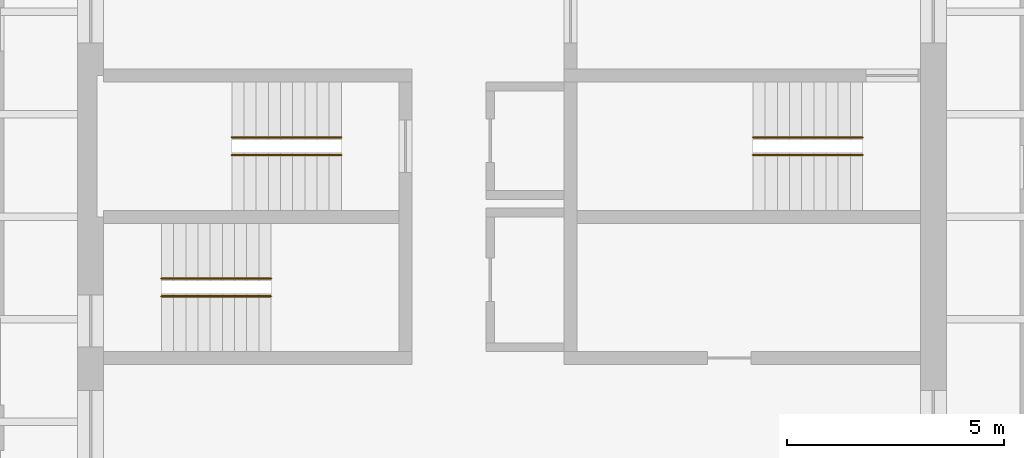
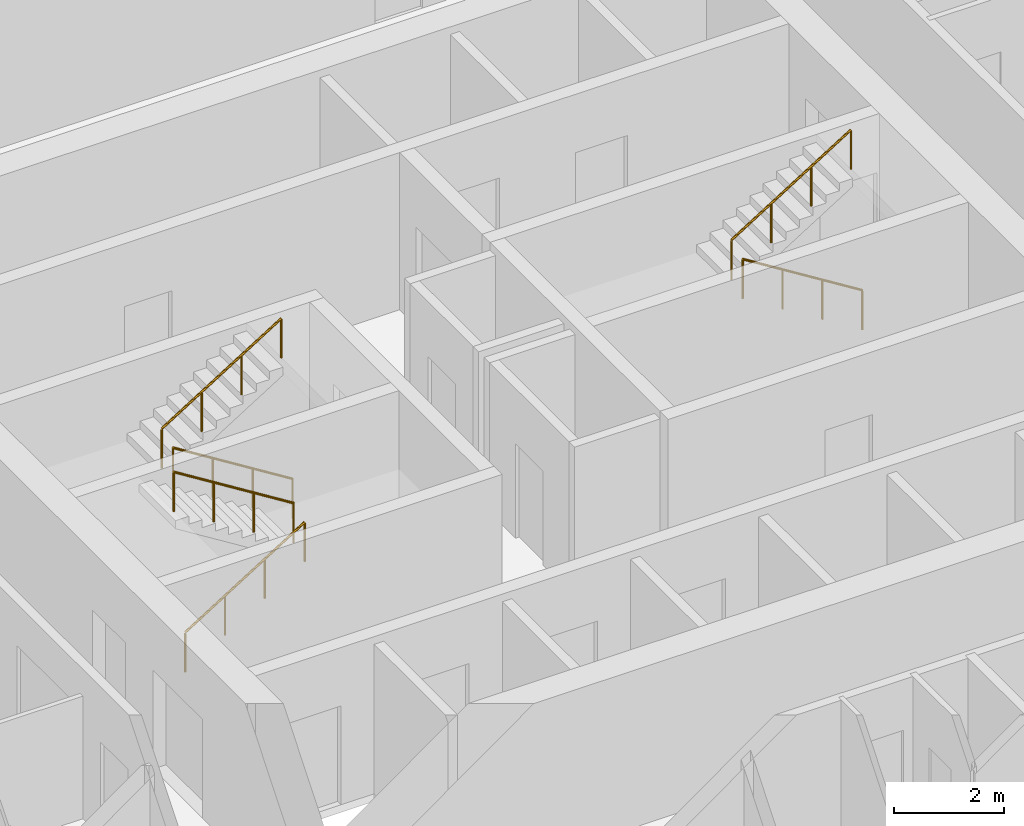
# One storey, part 8 of 8: 6 railings.
"""IFC4 building model written with IfcOpenShell, lengths in metres."""

from ifc_helpers import new_model, si_unit, direction, frame, origin, origin_2d, place, context, subcontext, project, spatial, circle, extrude, material, type_object, element, save


model = new_model("IFC4")

# Units and contexts
model_context = context("Model", 3, precision=1e-05, world=origin(), true_north=direction((0.0, 1.0)))
body_context = subcontext(model_context, "Body", "Model", "MODEL_VIEW")
ifc_project = project(units=[si_unit("LENGTHUNIT", "METRE"), si_unit("AREAUNIT", "SQUARE_METRE"), si_unit("VOLUMEUNIT", "CUBIC_METRE"), si_unit("PLANEANGLEUNIT", "RADIAN"), si_unit("MASSUNIT", "GRAM", prefix="KILO")], contexts=[model_context])

# Site, building, storey
site_placement = place(None, origin())
site = spatial("IfcSite", under=ifc_project, at=site_placement, CompositionType="ELEMENT")
building_placement = place(site_placement, origin())
building = spatial("IfcBuilding", under=site, at=building_placement, Name="Turquesa Mirador Hotel Tower", CompositionType="ELEMENT")
storey_placement = place(building_placement, frame((0.0, 0.0, 168.800048828125)))
storey = spatial("IfcBuildingStorey", under=building, at=storey_placement, Name="L45", CompositionType="ELEMENT", Elevation=168.800048828125)

# Railings
ifc_material = material(Name="Painted steel handrail", Category="steel")
railing_type = type_object("IfcRailingType", Name="HANDRAIL 900 STEEL", PredefinedType="HANDRAIL", material=ifc_material)
railing_1_placement = place(storey_placement, frame((51.070068359375, 46.419921875, 0.175048828125)))
element("IfcRailing", 1, at=railing_1_placement, inside=storey, type_object=railing_type, Name="Handrail ST1", PredefinedType="HANDRAIL", context=body_context, shape_type="SweptSolid", body=[
    extrude(circle(Radius=0.02392578125, at=origin_2d()), frame((0.0, 0.0, 0.8759765625), z_axis=(-0.848007534815, 0.0, 0.529984170421), x_axis=(0.0, -1.0, 0.0)), (0.0, 0.0, 1.0), 2.9716796875),
    extrude(circle(Radius=0.02099609375, at=origin_2d()), origin(), (0.0, 0.0, 1.0), 0.851806640625),
    extrude(circle(Radius=0.02099609375, at=origin_2d()), frame((-0.840087890625, 0.0, 0.52490234375)), (0.0, 0.0, 1.0), 0.851806640625),
    extrude(circle(Radius=0.02099609375, at=origin_2d()), frame((-1.679931640625, 0.0, 1.050048828125)), (0.0, 0.0, 1.0), 0.851806640625),
    extrude(circle(Radius=0.02099609375, at=origin_2d()), frame((-2.52001953125, 0.0, 1.574951171875)), (0.0, 0.0, 1.0), 0.851806640625),
])
for number, where, name in (
    (2, (48.550048828125, 46.830078125, 1.925048828125), "Handrail ST1"),
    (3, (46.929931640625, 43.169921875, 0.175048828125), "Handrail ST2"),
):
    element("IfcRailing", number, at=place(storey_placement, frame(where)), inside=storey, type_object=railing_type, Name=name, PredefinedType="HANDRAIL", context=body_context, shape_type="SweptSolid", body=[
        extrude(circle(Radius=0.02392578125, at=origin_2d()), frame((0.0, 0.0, 0.8759765625), z_axis=(0.848007534815, 0.0, 0.529984170421), x_axis=(0.0, 1.0, 0.0)), (0.0, 0.0, 1.0), 2.9716796875),
        extrude(circle(Radius=0.02099609375, at=origin_2d()), origin(), (0.0, 0.0, 1.0), 0.851806640625),
        extrude(circle(Radius=0.02099609375, at=origin_2d()), frame((0.840087890625, 0.0, 0.52490234375)), (0.0, 0.0, 1.0), 0.851806640625),
        extrude(circle(Radius=0.02099609375, at=origin_2d()), frame((1.679931640625, 0.0, 1.050048828125)), (0.0, 0.0, 1.0), 0.851806640625),
        extrude(circle(Radius=0.02099609375, at=origin_2d()), frame((2.52001953125, 0.0, 1.574951171875)), (0.0, 0.0, 1.0), 0.851806640625),
    ])
for number, where, name in (
    (4, (49.449951171875, 43.580078125, 1.925048828125), "Handrail ST2"),
    (5, (63.070068359375, 46.419921875, 0.175048828125), "Handrail ST3"),
):
    element("IfcRailing", number, at=place(storey_placement, frame(where)), inside=storey, type_object=railing_type, Name=name, PredefinedType="HANDRAIL", context=body_context, shape_type="SweptSolid", body=[
        extrude(circle(Radius=0.02392578125, at=origin_2d()), frame((0.0, 0.0, 0.8759765625), z_axis=(-0.848007534815, 0.0, 0.529984170421), x_axis=(0.0, -1.0, 0.0)), (0.0, 0.0, 1.0), 2.9716796875),
        extrude(circle(Radius=0.02099609375, at=origin_2d()), origin(), (0.0, 0.0, 1.0), 0.851806640625),
        extrude(circle(Radius=0.02099609375, at=origin_2d()), frame((-0.840087890625, 0.0, 0.52490234375)), (0.0, 0.0, 1.0), 0.851806640625),
        extrude(circle(Radius=0.02099609375, at=origin_2d()), frame((-1.679931640625, 0.0, 1.050048828125)), (0.0, 0.0, 1.0), 0.851806640625),
        extrude(circle(Radius=0.02099609375, at=origin_2d()), frame((-2.52001953125, 0.0, 1.574951171875)), (0.0, 0.0, 1.0), 0.851806640625),
    ])
railing_2_placement = place(storey_placement, frame((60.550048828125, 46.830078125, 1.925048828125)))
element("IfcRailing", 6, at=railing_2_placement, inside=storey, type_object=railing_type, Name="Handrail ST3", PredefinedType="HANDRAIL", context=body_context, shape_type="SweptSolid", body=[
    extrude(circle(Radius=0.02392578125, at=origin_2d()), frame((0.0, 0.0, 0.8759765625), z_axis=(0.848007534815, 0.0, 0.529984170421), x_axis=(0.0, 1.0, 0.0)), (0.0, 0.0, 1.0), 2.9716796875),
    extrude(circle(Radius=0.02099609375, at=origin_2d()), origin(), (0.0, 0.0, 1.0), 0.851806640625),
    extrude(circle(Radius=0.02099609375, at=origin_2d()), frame((0.840087890625, 0.0, 0.52490234375)), (0.0, 0.0, 1.0), 0.851806640625),
    extrude(circle(Radius=0.02099609375, at=origin_2d()), frame((1.679931640625, 0.0, 1.050048828125)), (0.0, 0.0, 1.0), 0.851806640625),
    extrude(circle(Radius=0.02099609375, at=origin_2d()), frame((2.52001953125, 0.0, 1.574951171875)), (0.0, 0.0, 1.0), 0.851806640625),
])

save(model, "model.ifc")
